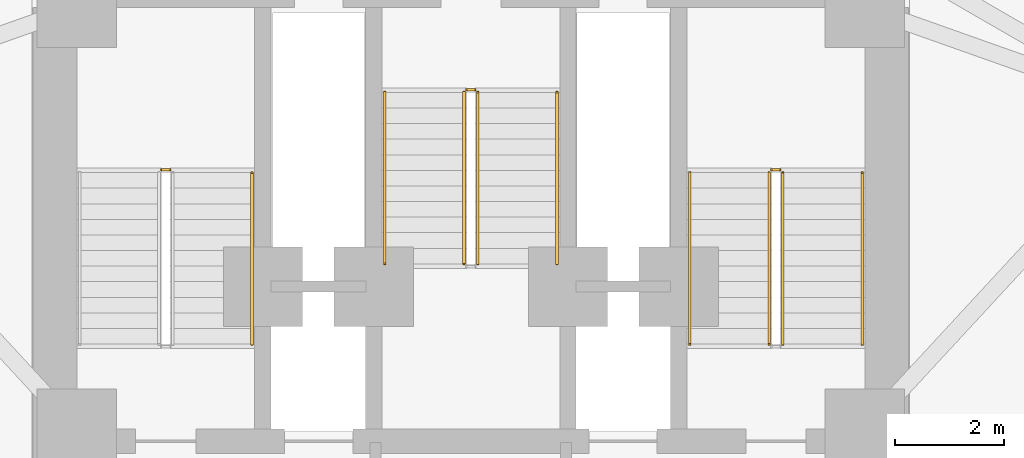
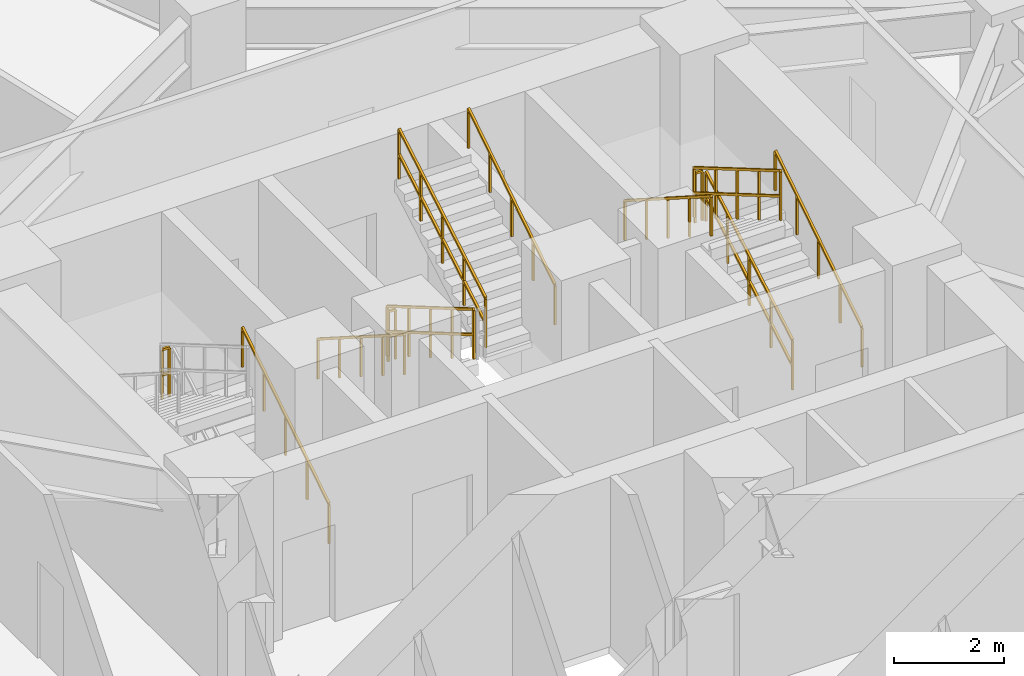
# One storey, part 11 of 12: 12 railings.
"""IFC4 building model written with IfcOpenShell, lengths in metres."""

from ifc_helpers import new_model, si_unit, direction, frame, origin, origin_2d, place, context, subcontext, project, spatial, rectangle, extrude, material, type_object, element, save


model = new_model("IFC4")

# Units and contexts
model_context = context("Model", 3, precision=1e-05, world=origin(), true_north=direction((0.0, 1.0)))
body_context = subcontext(model_context, "Body", "Model", "MODEL_VIEW")
ifc_project = project(units=[si_unit("LENGTHUNIT", "METRE"), si_unit("AREAUNIT", "SQUARE_METRE"), si_unit("VOLUMEUNIT", "CUBIC_METRE"), si_unit("PLANEANGLEUNIT", "RADIAN"), si_unit("MASSUNIT", "GRAM", prefix="KILO")], contexts=[model_context])

# Site, building, storey
site_placement = place(None, origin())
site = spatial("IfcSite", under=ifc_project, at=site_placement, CompositionType="ELEMENT")
building_placement = place(site_placement, origin())
building = spatial("IfcBuilding", under=site, at=building_placement, Name="Apsidion Concourse Tower", CompositionType="ELEMENT")
storey_placement = place(building_placement, frame((0.0, 0.0, 83.0)))
storey = spatial("IfcBuildingStorey", under=building, at=storey_placement, Name="L18", CompositionType="ELEMENT", Elevation=83.0)

# Railings
ifc_material = material(Name="Brushed stainless steel 316", Category="steel")
railing_type_1 = type_object("IfcRailingType", Name="RL-GUARD-1100", PredefinedType="GUARDRAIL", material=ifc_material)
railing_1_placement = place(storey_placement, frame((-5.5, 6.18505859375, 2.0)))
element("IfcRailing", 1, at=railing_1_placement, inside=storey, type_object=railing_type_1, Name="L18 ST1 stair guard 2", PredefinedType="GUARDRAIL", context=body_context, shape_type="SweptSolid", body=[
    extrude(rectangle(XDim=0.048095703125, YDim=0.048095703125, at=origin_2d()), frame((0.0, 0.0, 1.09619140625), z_axis=(-1.0, 0.0, 0.0), x_axis=(0.0, -1.0, 0.0)), (0.0, 0.0, 1.0), 0.14990234375),
    extrude(rectangle(XDim=0.048095703125, YDim=0.048095703125, at=origin_2d()), frame((0.0, 0.0, 0.5361328125), z_axis=(-1.0, 0.0, 0.0), x_axis=(0.0, -1.0, 0.0)), (0.0, 0.0, 1.0), 0.14990234375),
    extrude(rectangle(XDim=0.0419921875, YDim=0.0419921875, at=origin_2d()), origin(), (0.0, 0.0, 1.0), 1.072021484375),
    extrude(rectangle(XDim=0.0419921875, YDim=0.0419921875, at=origin_2d()), frame((-0.14990234375, 0.0, 0.0)), (0.0, 0.0, 1.0), 1.072021484375),
])
railing_2_placement = place(storey_placement, frame((5.699951171875, 3.0, 0.166748046875)))
element("IfcRailing", 2, at=railing_2_placement, inside=storey, type_object=railing_type_1, Name="L18 ST2 stair guard 1", PredefinedType="GUARDRAIL", context=body_context, shape_type="SweptSolid", body=[
    extrude(rectangle(XDim=0.048095703125, YDim=0.048095703125, at=origin_2d()), frame((0.0, 0.0, 1.09619140625), z_axis=(0.0, 0.863239559939, 0.504794475164), x_axis=(-1.0, 0.0, 0.0)), (0.0, 0.0, 1.0), 3.631591796875),
    extrude(rectangle(XDim=0.048095703125, YDim=0.048095703125, at=origin_2d()), frame((0.0, 0.0, 0.5361328125), z_axis=(0.0, 0.863239559939, 0.504794475164), x_axis=(-1.0, 0.0, 0.0)), (0.0, 0.0, 1.0), 3.631591796875),
    extrude(rectangle(XDim=0.0419921875, YDim=0.0419921875, at=origin_2d()), origin(), (0.0, 0.0, 1.0), 1.072021484375),
    extrude(rectangle(XDim=0.0419921875, YDim=0.0419921875, at=origin_2d()), frame((0.0, 0.78369140625, 0.458251953125)), (0.0, 0.0, 1.0), 1.072021484375),
    extrude(rectangle(XDim=0.0419921875, YDim=0.0419921875, at=origin_2d()), frame((0.0, 1.5673828125, 0.91650390625)), (0.0, 0.0, 1.0), 1.072021484375),
    extrude(rectangle(XDim=0.0419921875, YDim=0.0419921875, at=origin_2d()), frame((0.0, 2.351318359375, 1.375)), (0.0, 0.0, 1.0), 1.072021484375),
    extrude(rectangle(XDim=0.0419921875, YDim=0.0419921875, at=origin_2d()), frame((0.0, 3.135009765625, 1.833251953125)), (0.0, 0.0, 1.0), 1.072021484375),
])
railing_3_placement = place(storey_placement, frame((5.64990234375, 6.18505859375, 2.0)))
element("IfcRailing", 3, at=railing_3_placement, inside=storey, type_object=railing_type_1, Name="L18 ST2 stair guard 2", PredefinedType="GUARDRAIL", context=body_context, shape_type="SweptSolid", body=[
    extrude(rectangle(XDim=0.048095703125, YDim=0.048095703125, at=origin_2d()), frame((0.0, 0.0, 1.09619140625), z_axis=(-1.0, 0.0, 0.0), x_axis=(0.0, -1.0, 0.0)), (0.0, 0.0, 1.0), 0.14990234375),
    extrude(rectangle(XDim=0.048095703125, YDim=0.048095703125, at=origin_2d()), frame((0.0, 0.0, 0.5361328125), z_axis=(-1.0, 0.0, 0.0), x_axis=(0.0, -1.0, 0.0)), (0.0, 0.0, 1.0), 0.14990234375),
    extrude(rectangle(XDim=0.0419921875, YDim=0.0419921875, at=origin_2d()), origin(), (0.0, 0.0, 1.0), 1.072021484375),
    extrude(rectangle(XDim=0.0419921875, YDim=0.0419921875, at=origin_2d()), frame((-0.14990234375, 0.0, 0.0)), (0.0, 0.0, 1.0), 1.072021484375),
])
for number, where, name in (
    (4, (5.449951171875, 6.135009765625, 2.166748046875), "L18 ST2 stair guard 3"),
    (5, (-0.125, 7.60009765625, 0.166748046875), "L18 ST3 stair guard 1"),
):
    element("IfcRailing", number, at=place(storey_placement, frame(where)), inside=storey, type_object=railing_type_1, Name=name, PredefinedType="GUARDRAIL", context=body_context, shape_type="SweptSolid", body=[
        extrude(rectangle(XDim=0.048095703125, YDim=0.048095703125, at=origin_2d()), frame((0.0, 0.0, 1.09619140625), z_axis=(0.0, -0.863239559939, 0.504794475164), x_axis=(1.0, 0.0, 0.0)), (0.0, 0.0, 1.0), 3.631591796875),
        extrude(rectangle(XDim=0.048095703125, YDim=0.048095703125, at=origin_2d()), frame((0.0, 0.0, 0.5361328125), z_axis=(0.0, -0.863239559939, 0.504794475164), x_axis=(1.0, 0.0, 0.0)), (0.0, 0.0, 1.0), 3.631591796875),
        extrude(rectangle(XDim=0.0419921875, YDim=0.0419921875, at=origin_2d()), origin(), (0.0, 0.0, 1.0), 1.072021484375),
        extrude(rectangle(XDim=0.0419921875, YDim=0.0419921875, at=origin_2d()), frame((0.0, -0.78369140625, 0.458251953125)), (0.0, 0.0, 1.0), 1.072021484375),
        extrude(rectangle(XDim=0.0419921875, YDim=0.0419921875, at=origin_2d()), frame((0.0, -1.5673828125, 0.91650390625)), (0.0, 0.0, 1.0), 1.072021484375),
        extrude(rectangle(XDim=0.0419921875, YDim=0.0419921875, at=origin_2d()), frame((0.0, -2.351318359375, 1.375)), (0.0, 0.0, 1.0), 1.072021484375),
        extrude(rectangle(XDim=0.0419921875, YDim=0.0419921875, at=origin_2d()), frame((0.0, -3.135009765625, 1.833251953125)), (0.0, 0.0, 1.0), 1.072021484375),
    ])
railing_4_placement = place(storey_placement, frame((0.125, 4.465087890625, 2.166748046875)))
element("IfcRailing", 6, at=railing_4_placement, inside=storey, type_object=railing_type_1, Name="L18 ST3 stair guard 3", PredefinedType="GUARDRAIL", context=body_context, shape_type="SweptSolid", body=[
    extrude(rectangle(XDim=0.048095703125, YDim=0.048095703125, at=origin_2d()), frame((0.0, 0.0, 1.09619140625), z_axis=(0.0, 0.863239559939, 0.504794475164), x_axis=(-1.0, 0.0, 0.0)), (0.0, 0.0, 1.0), 3.631591796875),
    extrude(rectangle(XDim=0.048095703125, YDim=0.048095703125, at=origin_2d()), frame((0.0, 0.0, 0.5361328125), z_axis=(0.0, 0.863239559939, 0.504794475164), x_axis=(-1.0, 0.0, 0.0)), (0.0, 0.0, 1.0), 3.631591796875),
    extrude(rectangle(XDim=0.0419921875, YDim=0.0419921875, at=origin_2d()), origin(), (0.0, 0.0, 1.0), 1.072021484375),
    extrude(rectangle(XDim=0.0419921875, YDim=0.0419921875, at=origin_2d()), frame((0.0, 0.78369140625, 0.458251953125)), (0.0, 0.0, 1.0), 1.072021484375),
    extrude(rectangle(XDim=0.0419921875, YDim=0.0419921875, at=origin_2d()), frame((0.0, 1.5673828125, 0.91650390625)), (0.0, 0.0, 1.0), 1.072021484375),
    extrude(rectangle(XDim=0.0419921875, YDim=0.0419921875, at=origin_2d()), frame((0.0, 2.351318359375, 1.375)), (0.0, 0.0, 1.0), 1.072021484375),
    extrude(rectangle(XDim=0.0419921875, YDim=0.0419921875, at=origin_2d()), frame((0.0, 3.135009765625, 1.833251953125)), (0.0, 0.0, 1.0), 1.072021484375),
])
railing_5_placement = place(storey_placement, frame((-0.074951171875, 7.64990234375, 0.0)))
element("IfcRailing", 7, at=railing_5_placement, inside=storey, type_object=railing_type_1, Name="L18 ST3 stair guard 4", PredefinedType="GUARDRAIL", context=body_context, shape_type="SweptSolid", body=[
    extrude(rectangle(XDim=0.048095703125, YDim=0.048095703125, at=origin_2d()), frame((0.0, 0.0, 1.09619140625), z_axis=(1.0, 0.0, 0.0), x_axis=(0.0, 1.0, 0.0)), (0.0, 0.0, 1.0), 0.14990234375),
    extrude(rectangle(XDim=0.048095703125, YDim=0.048095703125, at=origin_2d()), frame((0.0, 0.0, 0.5361328125), z_axis=(1.0, 0.0, 0.0), x_axis=(0.0, 1.0, 0.0)), (0.0, 0.0, 1.0), 0.14990234375),
    extrude(rectangle(XDim=0.0419921875, YDim=0.0419921875, at=origin_2d()), origin(), (0.0, 0.0, 1.0), 1.072021484375),
    extrude(rectangle(XDim=0.0419921875, YDim=0.0419921875, at=origin_2d()), frame((0.14990234375, 0.0, 0.0)), (0.0, 0.0, 1.0), 1.072021484375),
])
railing_type_2 = type_object("IfcRailingType", Name="RL-HAND-900", PredefinedType="HANDRAIL", material=ifc_material)
for number, where, name in (
    (8, (-4.0, 3.0, 0.166748046875), "L18 ST1 stair handrail 1"),
    (9, (7.14990234375, 3.0, 0.166748046875), "L18 ST2 stair handrail 1"),
):
    element("IfcRailing", number, at=place(storey_placement, frame(where)), inside=storey, type_object=railing_type_2, Name=name, PredefinedType="HANDRAIL", context=body_context, shape_type="SweptSolid", body=[
        extrude(rectangle(XDim=0.048095703125, YDim=0.048095703125, at=origin_2d()), frame((0.0, 0.0, 0.8759765625), z_axis=(0.0, 0.843052688722, 0.537830980921), x_axis=(-1.0, 0.0, 0.0)), (0.0, 0.0, 1.0), 3.71875),
        extrude(rectangle(XDim=0.0419921875, YDim=0.0419921875, at=origin_2d()), origin(), (0.0, 0.0, 1.0), 0.851806640625),
        extrude(rectangle(XDim=0.0419921875, YDim=0.0419921875, at=origin_2d()), frame((0.0, 0.78369140625, 0.5)), (0.0, 0.0, 1.0), 0.851806640625),
        extrude(rectangle(XDim=0.0419921875, YDim=0.0419921875, at=origin_2d()), frame((0.0, 1.5673828125, 1.0)), (0.0, 0.0, 1.0), 0.851806640625),
        extrude(rectangle(XDim=0.0419921875, YDim=0.0419921875, at=origin_2d()), frame((0.0, 2.351318359375, 1.5)), (0.0, 0.0, 1.0), 0.851806640625),
        extrude(rectangle(XDim=0.0419921875, YDim=0.0419921875, at=origin_2d()), frame((0.0, 3.135009765625, 2.0)), (0.0, 0.0, 1.0), 0.851806640625),
    ])
for number, where, name in (
    (10, (4.0, 6.135009765625, 2.166748046875), "L18 ST2 stair handrail 2"),
    (11, (-1.574951171875, 7.60009765625, 0.166748046875), "L18 ST3 stair handrail 1"),
):
    element("IfcRailing", number, at=place(storey_placement, frame(where)), inside=storey, type_object=railing_type_2, Name=name, PredefinedType="HANDRAIL", context=body_context, shape_type="SweptSolid", body=[
        extrude(rectangle(XDim=0.048095703125, YDim=0.048095703125, at=origin_2d()), frame((0.0, 0.0, 0.8759765625), z_axis=(0.0, -0.843052688722, 0.537830980921), x_axis=(1.0, 0.0, 0.0)), (0.0, 0.0, 1.0), 3.71875),
        extrude(rectangle(XDim=0.0419921875, YDim=0.0419921875, at=origin_2d()), origin(), (0.0, 0.0, 1.0), 0.851806640625),
        extrude(rectangle(XDim=0.0419921875, YDim=0.0419921875, at=origin_2d()), frame((0.0, -0.78369140625, 0.5)), (0.0, 0.0, 1.0), 0.851806640625),
        extrude(rectangle(XDim=0.0419921875, YDim=0.0419921875, at=origin_2d()), frame((0.0, -1.5673828125, 1.0)), (0.0, 0.0, 1.0), 0.851806640625),
        extrude(rectangle(XDim=0.0419921875, YDim=0.0419921875, at=origin_2d()), frame((0.0, -2.351318359375, 1.5)), (0.0, 0.0, 1.0), 0.851806640625),
        extrude(rectangle(XDim=0.0419921875, YDim=0.0419921875, at=origin_2d()), frame((0.0, -3.135009765625, 2.0)), (0.0, 0.0, 1.0), 0.851806640625),
    ])
railing_6_placement = place(storey_placement, frame((1.574951171875, 4.465087890625, 2.166748046875)))
element("IfcRailing", 12, at=railing_6_placement, inside=storey, type_object=railing_type_2, Name="L18 ST3 stair handrail 2", PredefinedType="HANDRAIL", context=body_context, shape_type="SweptSolid", body=[
    extrude(rectangle(XDim=0.048095703125, YDim=0.048095703125, at=origin_2d()), frame((0.0, 0.0, 0.8759765625), z_axis=(0.0, 0.843052688722, 0.537830980921), x_axis=(-1.0, 0.0, 0.0)), (0.0, 0.0, 1.0), 3.71875),
    extrude(rectangle(XDim=0.0419921875, YDim=0.0419921875, at=origin_2d()), origin(), (0.0, 0.0, 1.0), 0.851806640625),
    extrude(rectangle(XDim=0.0419921875, YDim=0.0419921875, at=origin_2d()), frame((0.0, 0.78369140625, 0.5)), (0.0, 0.0, 1.0), 0.851806640625),
    extrude(rectangle(XDim=0.0419921875, YDim=0.0419921875, at=origin_2d()), frame((0.0, 1.5673828125, 1.0)), (0.0, 0.0, 1.0), 0.851806640625),
    extrude(rectangle(XDim=0.0419921875, YDim=0.0419921875, at=origin_2d()), frame((0.0, 2.351318359375, 1.5)), (0.0, 0.0, 1.0), 0.851806640625),
    extrude(rectangle(XDim=0.0419921875, YDim=0.0419921875, at=origin_2d()), frame((0.0, 3.135009765625, 2.0)), (0.0, 0.0, 1.0), 0.851806640625),
])

save(model, "model.ifc")
